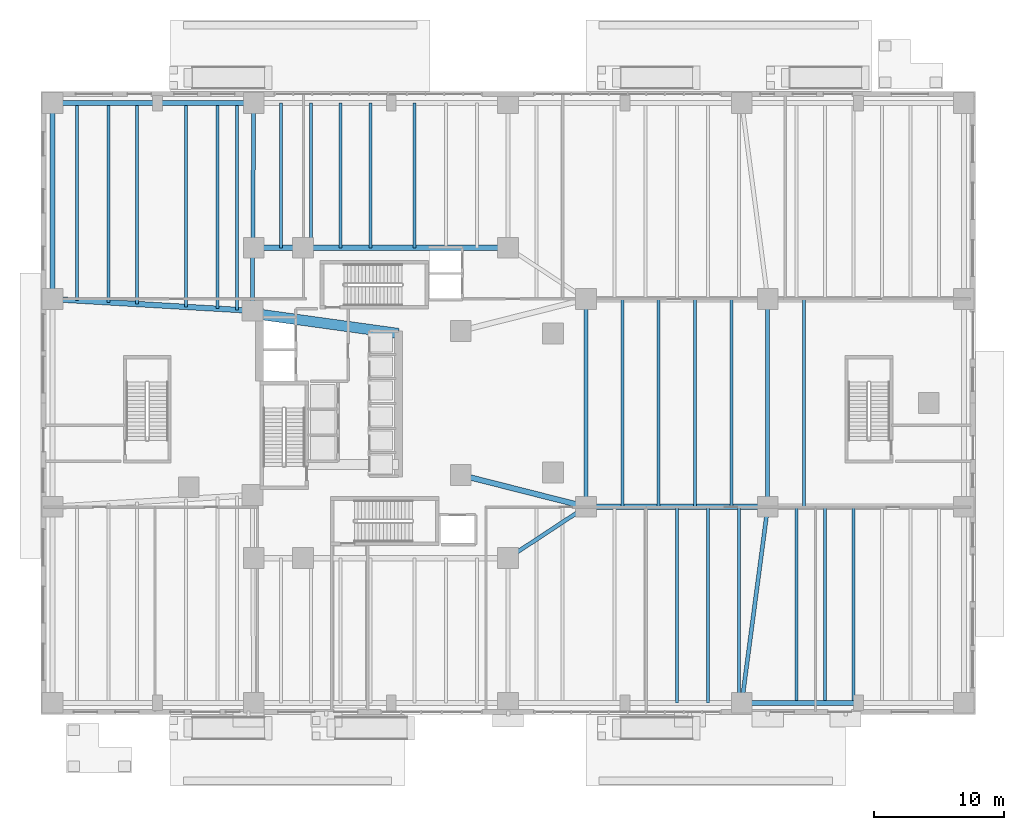
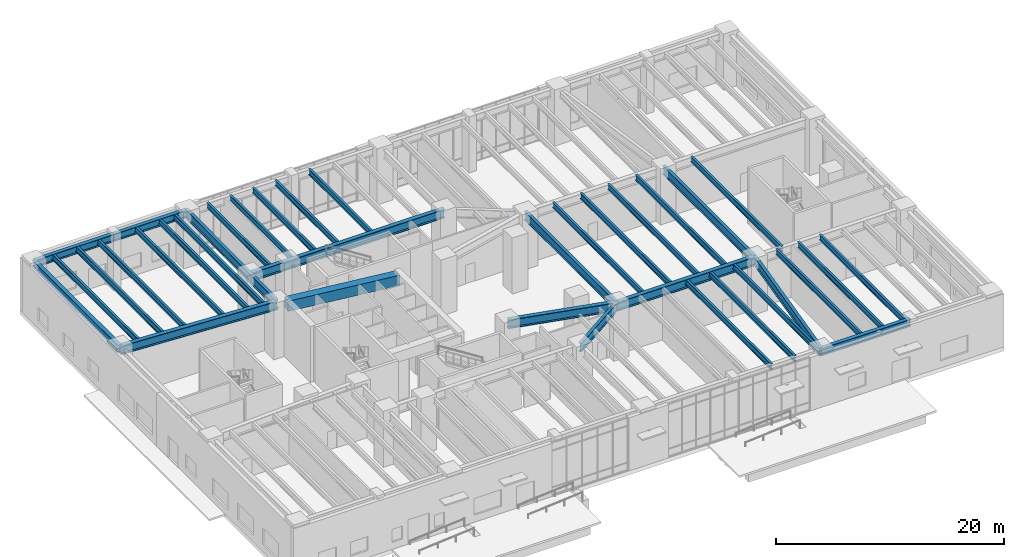
# One storey, part 8 of 28: 36 beams.
"""IFC4 building model written with IfcOpenShell, lengths in metres."""

from ifc_helpers import new_model, si_unit, direction, frame, origin, origin_2d, place, context, subcontext, project, spatial, rectangle, i_section, extrude, material, material_profile, profile_set, type_object, element, save


model = new_model("IFC4")

# Units and contexts
model_context = context("Model", 3, precision=1e-05, world=origin(), true_north=direction((0.0, 1.0)))
body_context = subcontext(model_context, "Body", "Model", "MODEL_VIEW")
ifc_project = project(units=[si_unit("LENGTHUNIT", "METRE"), si_unit("AREAUNIT", "SQUARE_METRE"), si_unit("VOLUMEUNIT", "CUBIC_METRE"), si_unit("PLANEANGLEUNIT", "RADIAN"), si_unit("MASSUNIT", "GRAM", prefix="KILO"), si_unit("THERMODYNAMICTEMPERATUREUNIT", "KELVIN"), si_unit("POWERUNIT", "WATT")], contexts=[model_context])

# Site, building, storey
site_placement = place(None, origin())
site = spatial("IfcSite", under=ifc_project, at=site_placement, CompositionType="ELEMENT")
building_placement = place(site_placement, origin())
building = spatial("IfcBuilding", under=site, at=building_placement, Name="Skarre Station Tower", CompositionType="ELEMENT")
storey_placement = place(building_placement, origin())
storey = spatial("IfcBuildingStorey", under=building, at=storey_placement, Name="L01", CompositionType="ELEMENT", Elevation=0.0)

# Beams
ifc_material_1 = material(Name="Concrete C70/85", Category="concrete")
ifc_material_profile_1 = material_profile(ifc_material_1, rectangle(XDim=0.800048828125, YDim=1.10009765625, at=origin_2d()), Name="Concrete C70/85")
ifc_profile_set_1 = profile_set([ifc_material_profile_1], Name="Concrete C70/85")
beam_type_1 = type_object("IfcBeamType", Name="RC Core Coupling Lintel 800x1100", PredefinedType="LINTEL", material=ifc_profile_set_1)
beam_1_placement = place(storey_placement, frame((17.050048828125, 30.800048828125, 5.139892578125), z_axis=(0.990599723633, -0.136792498109, 0.0), x_axis=(0.136792498109, 0.990599723633, 0.0)))
element("IfcBeam", 1, at=beam_1_placement, inside=storey, type_object=beam_type_1, Name="L01 North Core Coupling Lintel", PredefinedType="LINTEL", context=body_context, shape_type="SweptSolid", body=[
    extrude(rectangle(XDim=0.800048828125, YDim=1.10009765625, at=origin_2d()), origin(), (0.0, 0.0, 1.0), 10.599609375),
])
ifc_material_2 = material(Name="Steel ASTM A992 Grade 50", Category="steel")
ifc_material_profile_2 = material_profile(ifc_material_2, i_section(OverallWidth=0.30810546875, OverallDepth=0.927001953125, WebThickness=0.01904296875, FlangeThickness=0.031982421875, at=origin_2d()), Name="Steel ASTM A992 Grade 50")
ifc_profile_set_2 = profile_set([ifc_material_profile_2], Name="Steel ASTM A992 Grade 50")
beam_type_2 = type_object("IfcBeamType", Name="Steel Beam W36X194", PredefinedType="BEAM", material=ifc_profile_set_2)
beam_2_placement = place(storey_placement, frame((16.300048828125, 31.10009765625, 5.22705078125), z_axis=(0.006240723195, 0.999980526497, 0.0), x_axis=(-0.999980526497, 0.006240723195, 0.0)))
element("IfcBeam", 2, at=beam_2_placement, inside=storey, type_object=beam_type_2, Name="L01 Concourse Transverse Girder NS2", PredefinedType="BEAM", context=body_context, shape_type="SweptSolid", body=[
    extrude(i_section(OverallWidth=0.30810546875, OverallDepth=0.927001953125, WebThickness=0.01904296875, FlangeThickness=0.031982421875, at=origin_2d()), origin(), (0.0, 0.0, 1.0), 16.000244140625),
])
beam_3_placement = place(storey_placement, frame((36.0, 12.050048828125, 5.22705078125), z_axis=(0.835251957938, 0.549867408345, 0.0), x_axis=(-0.549867408345, 0.835251957938, 0.0)))
element("IfcBeam", 3, at=beam_3_placement, inside=storey, type_object=beam_type_2, Name="L01 Concourse Transverse Girder NS3B", PredefinedType="BEAM", context=body_context, shape_type="SweptSolid", body=[
    extrude(i_section(OverallWidth=0.30810546875, OverallDepth=0.927001953125, WebThickness=0.01904296875, FlangeThickness=0.031982421875, at=origin_2d()), origin(), (0.0, 0.0, 1.0), 7.183349609375),
])
beam_4_placement = place(storey_placement, frame((42.0, 16.0, 5.22705078125), z_axis=(0.0, 1.0, 0.0), x_axis=(-1.0, 0.0, 0.0)))
element("IfcBeam", 4, at=beam_4_placement, inside=storey, type_object=beam_type_2, Name="L01 Concourse Transverse Girder NS4", PredefinedType="BEAM", context=body_context, shape_type="SweptSolid", body=[
    extrude(i_section(OverallWidth=0.30810546875, OverallDepth=0.927001953125, WebThickness=0.01904296875, FlangeThickness=0.031982421875, at=origin_2d()), origin(), (0.0, 0.0, 1.0), 16.0),
])
beam_5_placement = place(storey_placement, frame((54.0, 0.89990234375, 5.22705078125), z_axis=(0.131302768537, 0.991342313721, 0.0), x_axis=(-0.991342313721, 0.131302768537, 0.0)))
element("IfcBeam", 5, at=beam_5_placement, inside=storey, type_object=beam_type_2, Name="L01 Concourse Transverse Girder NS6", PredefinedType="BEAM", context=body_context, shape_type="SweptSolid", body=[
    extrude(i_section(OverallWidth=0.30810546875, OverallDepth=0.927001953125, WebThickness=0.01904296875, FlangeThickness=0.031982421875, at=origin_2d()), origin(), (0.0, 0.0, 1.0), 15.23193359375),
])
beam_6_placement = place(storey_placement, frame((56.0, 16.0, 5.22705078125), z_axis=(0.0, 1.0, 0.0), x_axis=(-1.0, 0.0, 0.0)))
element("IfcBeam", 6, at=beam_6_placement, inside=storey, type_object=beam_type_2, Name="L01 Concourse Transverse Girder NS7", PredefinedType="BEAM", context=body_context, shape_type="SweptSolid", body=[
    extrude(i_section(OverallWidth=0.30810546875, OverallDepth=0.927001953125, WebThickness=0.01904296875, FlangeThickness=0.031982421875, at=origin_2d()), origin(), (0.0, 0.0, 1.0), 16.0),
])
ifc_material_profile_3 = material_profile(ifc_material_2, i_section(OverallWidth=0.423095703125, OverallDepth=0.947998046875, WebThickness=0.02392578125, FlangeThickness=0.04296875, at=origin_2d()), Name="Steel ASTM A992 Grade 50")
ifc_profile_set_3 = profile_set([ifc_material_profile_3], Name="Steel ASTM A992 Grade 50")
beam_type_3 = type_object("IfcBeamType", Name="Steel Beam W36X302", PredefinedType="BEAM", material=ifc_profile_set_3)
beam_7_placement = place(storey_placement, frame((32.35009765625, 18.449951171875, 5.216064453125), z_axis=(0.969250360418, -0.246076692982, 0.0), x_axis=(0.246076692982, 0.969250360418, 0.0)))
element("IfcBeam", 7, at=beam_7_placement, inside=storey, type_object=beam_type_3, Name="L01 Concourse Primary Girder EW2", PredefinedType="BEAM", context=body_context, shape_type="SweptSolid", body=[
    extrude(i_section(OverallWidth=0.423095703125, OverallDepth=0.947998046875, WebThickness=0.02392578125, FlangeThickness=0.04296875, at=origin_2d()), origin(), (0.0, 0.0, 1.0), 9.9560546875),
])
beam_8_placement = place(storey_placement, frame((42.0, 16.0, 5.216064453125), z_axis=(1.0, 0.0, 0.0), x_axis=(0.0, 1.0, 0.0)))
element("IfcBeam", 8, at=beam_8_placement, inside=storey, type_object=beam_type_3, Name="L01 Concourse Primary Girder EW3", PredefinedType="BEAM", context=body_context, shape_type="SweptSolid", body=[
    extrude(i_section(OverallWidth=0.423095703125, OverallDepth=0.947998046875, WebThickness=0.02392578125, FlangeThickness=0.04296875, at=origin_2d()), origin(), (0.0, 0.0, 1.0), 14.0),
])
beam_9_placement = place(storey_placement, frame((0.89990234375, 32.0, 5.216064453125), z_axis=(0.99829705511, -0.05833515029, 0.0), x_axis=(0.05833515029, 0.99829705511, 0.0)))
element("IfcBeam", 9, at=beam_9_placement, inside=storey, type_object=beam_type_3, Name="L01 Concourse Primary Girder EW5", PredefinedType="BEAM", context=body_context, shape_type="SweptSolid", body=[
    extrude(i_section(OverallWidth=0.423095703125, OverallDepth=0.947998046875, WebThickness=0.02392578125, FlangeThickness=0.04296875, at=origin_2d()), origin(), (0.0, 0.0, 1.0), 15.426513671875),
])
beam_10_placement = place(storey_placement, frame((16.39990234375, 35.949951171875, 5.216064453125), z_axis=(1.0, 0.0, 0.0), x_axis=(0.0, 1.0, 0.0)))
element("IfcBeam", 10, at=beam_10_placement, inside=storey, type_object=beam_type_3, Name="L01 Concourse Primary Girder HDRN", PredefinedType="BEAM", context=body_context, shape_type="SweptSolid", body=[
    extrude(i_section(OverallWidth=0.423095703125, OverallDepth=0.947998046875, WebThickness=0.02392578125, FlangeThickness=0.04296875, at=origin_2d()), origin(), (0.0, 0.0, 1.0), 19.60009765625),
])
ifc_material_profile_4 = material_profile(ifc_material_2, i_section(OverallWidth=0.22802734375, OverallDepth=0.60791015625, WebThickness=0.010986328125, FlangeThickness=0.01708984375, at=origin_2d()), Name="Steel ASTM A992 Grade 50")
ifc_profile_set_4 = profile_set([ifc_material_profile_4], Name="Steel ASTM A992 Grade 50")
beam_type_4 = type_object("IfcBeamType", Name="Steel Joist W24X76", PredefinedType="JOIST", material=ifc_profile_set_4)
beam_11_placement = place(storey_placement, frame((2.800048828125, 31.888916015625, 5.385986328125), z_axis=(0.0, 1.0, 0.0), x_axis=(-1.0, 0.0, 0.0)))
element("IfcBeam", 11, at=beam_11_placement, inside=storey, type_object=beam_type_4, Name="L01 North Bay Joist 1", PredefinedType="JOIST", context=body_context, shape_type="SweptSolid", body=[
    extrude(i_section(OverallWidth=0.22802734375, OverallDepth=0.60791015625, WebThickness=0.010986328125, FlangeThickness=0.01708984375, at=origin_2d()), origin(), (0.0, 0.0, 1.0), 15.211181640625),
])
beam_12_placement = place(storey_placement, frame((5.199951171875, 31.7490234375, 5.385986328125), z_axis=(0.0, 1.0, 0.0), x_axis=(-1.0, 0.0, 0.0)))
element("IfcBeam", 12, at=beam_12_placement, inside=storey, type_object=beam_type_4, Name="L01 North Bay Joist 2", PredefinedType="JOIST", context=body_context, shape_type="SweptSolid", body=[
    extrude(i_section(OverallWidth=0.22802734375, OverallDepth=0.60791015625, WebThickness=0.010986328125, FlangeThickness=0.01708984375, at=origin_2d()), origin(), (0.0, 0.0, 1.0), 15.35107421875),
])
beam_13_placement = place(storey_placement, frame((7.39990234375, 31.6201171875, 5.385986328125), z_axis=(0.0, 1.0, 0.0), x_axis=(-1.0, 0.0, 0.0)))
element("IfcBeam", 13, at=beam_13_placement, inside=storey, type_object=beam_type_4, Name="L01 North Bay Joist 3", PredefinedType="JOIST", context=body_context, shape_type="SweptSolid", body=[
    extrude(i_section(OverallWidth=0.22802734375, OverallDepth=0.60791015625, WebThickness=0.010986328125, FlangeThickness=0.01708984375, at=origin_2d()), origin(), (0.0, 0.0, 1.0), 15.47998046875),
])
beam_14_placement = place(storey_placement, frame((11.199951171875, 31.39794921875, 5.385986328125), z_axis=(0.0, 1.0, 0.0), x_axis=(-1.0, 0.0, 0.0)))
element("IfcBeam", 14, at=beam_14_placement, inside=storey, type_object=beam_type_4, Name="L01 North Bay Joist 4", PredefinedType="JOIST", context=body_context, shape_type="SweptSolid", body=[
    extrude(i_section(OverallWidth=0.22802734375, OverallDepth=0.60791015625, WebThickness=0.010986328125, FlangeThickness=0.01708984375, at=origin_2d()), origin(), (0.0, 0.0, 1.0), 15.7021484375),
])
beam_15_placement = place(storey_placement, frame((13.60009765625, 31.258056640625, 5.385986328125), z_axis=(0.0, 1.0, 0.0), x_axis=(-1.0, 0.0, 0.0)))
element("IfcBeam", 15, at=beam_15_placement, inside=storey, type_object=beam_type_4, Name="L01 North Bay Joist 5", PredefinedType="JOIST", context=body_context, shape_type="SweptSolid", body=[
    extrude(i_section(OverallWidth=0.22802734375, OverallDepth=0.60791015625, WebThickness=0.010986328125, FlangeThickness=0.01708984375, at=origin_2d()), origin(), (0.0, 0.0, 1.0), 15.842041015625),
])
beam_16_placement = place(storey_placement, frame((15.10009765625, 31.169921875, 5.385986328125), z_axis=(0.0, 1.0, 0.0), x_axis=(-1.0, 0.0, 0.0)))
element("IfcBeam", 16, at=beam_16_placement, inside=storey, type_object=beam_type_4, Name="L01 North Bay Joist 6", PredefinedType="JOIST", context=body_context, shape_type="SweptSolid", body=[
    extrude(i_section(OverallWidth=0.22802734375, OverallDepth=0.60791015625, WebThickness=0.010986328125, FlangeThickness=0.01708984375, at=origin_2d()), origin(), (0.0, 0.0, 1.0), 15.93017578125),
])
for number, where, z_axis, x_axis, name in (
    (17, (18.5, 35.949951171875, 5.385986328125), (0.0, 1.0, 0.0), (-1.0, 0.0, 0.0), "L01 North Bay Joist 7"),
    (18, (20.800048828125, 35.949951171875, 5.385986328125), (0.0, 1.0, 0.0), (-1.0, 0.0, 0.0), "L01 North Bay Joist 8"),
    (19, (23.10009765625, 35.949951171875, 5.385986328125), (0.0, 1.0, 0.0), (-1.0, 0.0, 0.0), "L01 North Bay Joist 9"),
    (20, (25.39990234375, 35.949951171875, 5.385986328125), (0.0, 1.0, 0.0), (-1.0, 0.0, 0.0), "L01 North Bay Joist 10"),
    (21, (28.800048828125, 35.949951171875, 5.385986328125), (0.0, 1.0, 0.0), (-1.0, 0.0, 0.0), "L01 North Bay Joist 11"),
):
    element("IfcBeam", number, at=place(storey_placement, frame(where, z_axis=z_axis, x_axis=x_axis)), inside=storey, type_object=beam_type_4, Name=name, PredefinedType="JOIST", context=body_context, shape_type="SweptSolid", body=[
        extrude(i_section(OverallWidth=0.22802734375, OverallDepth=0.60791015625, WebThickness=0.010986328125, FlangeThickness=0.01708984375, at=origin_2d()), origin(), (0.0, 0.0, 1.0), 11.150146484375),
    ])
for number, where, z_axis, x_axis, name in (
    (22, (49.0, 0.89990234375, 5.385986328125), (0.0, 1.0, 0.0), (-1.0, 0.0, 0.0), "L01 South Bay Joist 18"),
    (23, (51.39990234375, 0.89990234375, 5.385986328125), (0.0, 1.0, 0.0), (-1.0, 0.0, 0.0), "L01 South Bay Joist 19"),
    (24, (53.800048828125, 0.89990234375, 5.385986328125), (0.0, 1.0, 0.0), (-1.0, 0.0, 0.0), "L01 South Bay Joist 20"),
    (25, (58.199951171875, 0.89990234375, 5.385986328125), (0.0, 1.0, 0.0), (-1.0, 0.0, 0.0), "L01 South Bay Joist 21"),
    (26, (60.39990234375, 0.89990234375, 5.385986328125), (0.0, 1.0, 0.0), (-1.0, 0.0, 0.0), "L01 South Bay Joist 22"),
    (27, (62.60009765625, 0.89990234375, 5.385986328125), (0.0, 1.0, 0.0), (-1.0, 0.0, 0.0), "L01 South Bay Joist 23"),
):
    element("IfcBeam", number, at=place(storey_placement, frame(where, z_axis=z_axis, x_axis=x_axis)), inside=storey, type_object=beam_type_4, Name=name, PredefinedType="JOIST", context=body_context, shape_type="SweptSolid", body=[
        extrude(i_section(OverallWidth=0.22802734375, OverallDepth=0.60791015625, WebThickness=0.010986328125, FlangeThickness=0.01708984375, at=origin_2d()), origin(), (0.0, 0.0, 1.0), 15.10009765625),
    ])
for number, where, z_axis, x_axis, name in (
    (28, (44.800048828125, 16.0, 5.385986328125), (0.0, 1.0, 0.0), (-1.0, 0.0, 0.0), "L01 Central Concourse Joist 1"),
    (29, (47.60009765625, 16.0, 5.385986328125), (0.0, 1.0, 0.0), (-1.0, 0.0, 0.0), "L01 Central Concourse Joist 2"),
    (30, (50.39990234375, 16.0, 5.385986328125), (0.0, 1.0, 0.0), (-1.0, 0.0, 0.0), "L01 Central Concourse Joist 3"),
    (31, (53.199951171875, 16.0, 5.385986328125), (0.0, 1.0, 0.0), (-1.0, 0.0, 0.0), "L01 Central Concourse Joist 4"),
    (32, (58.800048828125, 16.0, 5.385986328125), (0.0, 1.0, 0.0), (-1.0, 0.0, 0.0), "L01 Central Concourse Joist 5"),
):
    element("IfcBeam", number, at=place(storey_placement, frame(where, z_axis=z_axis, x_axis=x_axis)), inside=storey, type_object=beam_type_4, Name=name, PredefinedType="JOIST", context=body_context, shape_type="SweptSolid", body=[
        extrude(i_section(OverallWidth=0.22802734375, OverallDepth=0.60791015625, WebThickness=0.010986328125, FlangeThickness=0.01708984375, at=origin_2d()), origin(), (0.0, 0.0, 1.0), 16.0),
    ])
ifc_material_profile_5 = material_profile(ifc_material_2, i_section(OverallWidth=0.384033203125, OverallDepth=0.785888671875, WebThickness=0.02001953125, FlangeThickness=0.032958984375, at=origin_2d()), Name="Steel ASTM A992 Grade 50")
ifc_profile_set_5 = profile_set([ifc_material_profile_5], Name="Steel ASTM A992 Grade 50")
beam_type_5 = type_object("IfcBeamType", Name="Steel Spandrel W30X211", PredefinedType="SPANDREL", material=ifc_profile_set_5)
beam_17_placement = place(storey_placement, frame((0.89990234375, 47.10009765625, 5.297119140625), z_axis=(1.0, 0.0, 0.0), x_axis=(0.0, 1.0, 0.0)))
element("IfcBeam", 33, at=beam_17_placement, inside=storey, type_object=beam_type_5, Name="L01 North Podium Spandrel 1", PredefinedType="SPANDREL", context=body_context, shape_type="SweptSolid", body=[
    extrude(i_section(OverallWidth=0.384033203125, OverallDepth=0.785888671875, WebThickness=0.02001953125, FlangeThickness=0.032958984375, at=origin_2d()), origin(), (0.0, 0.0, 1.0), 8.10009765625),
])
beam_18_placement = place(storey_placement, frame((9.0, 47.10009765625, 5.297119140625), z_axis=(1.0, 0.0, 0.0), x_axis=(0.0, 1.0, 0.0)))
element("IfcBeam", 34, at=beam_18_placement, inside=storey, type_object=beam_type_5, Name="L01 North Podium Spandrel 2", PredefinedType="SPANDREL", context=body_context, shape_type="SweptSolid", body=[
    extrude(i_section(OverallWidth=0.384033203125, OverallDepth=0.785888671875, WebThickness=0.02001953125, FlangeThickness=0.032958984375, at=origin_2d()), origin(), (0.0, 0.0, 1.0), 7.39990234375),
])
beam_19_placement = place(storey_placement, frame((54.0, 0.89990234375, 5.297119140625), z_axis=(1.0, 0.0, 0.0), x_axis=(0.0, 1.0, 0.0)))
element("IfcBeam", 35, at=beam_19_placement, inside=storey, type_object=beam_type_5, Name="L01 South Podium Spandrel 7", PredefinedType="SPANDREL", context=body_context, shape_type="SweptSolid", body=[
    extrude(i_section(OverallWidth=0.384033203125, OverallDepth=0.785888671875, WebThickness=0.02001953125, FlangeThickness=0.032958984375, at=origin_2d()), origin(), (0.0, 0.0, 1.0), 9.0),
])
beam_20_placement = place(storey_placement, frame((0.89990234375, 32.0, 5.297119140625), z_axis=(0.0, 1.0, 0.0), x_axis=(-1.0, 0.0, 0.0)))
element("IfcBeam", 36, at=beam_20_placement, inside=storey, type_object=beam_type_5, Name="L01 West Podium Spandrel 3", PredefinedType="SPANDREL", context=body_context, shape_type="SweptSolid", body=[
    extrude(i_section(OverallWidth=0.384033203125, OverallDepth=0.785888671875, WebThickness=0.02001953125, FlangeThickness=0.032958984375, at=origin_2d()), origin(), (0.0, 0.0, 1.0), 15.10009765625),
])

save(model, "model.ifc")
